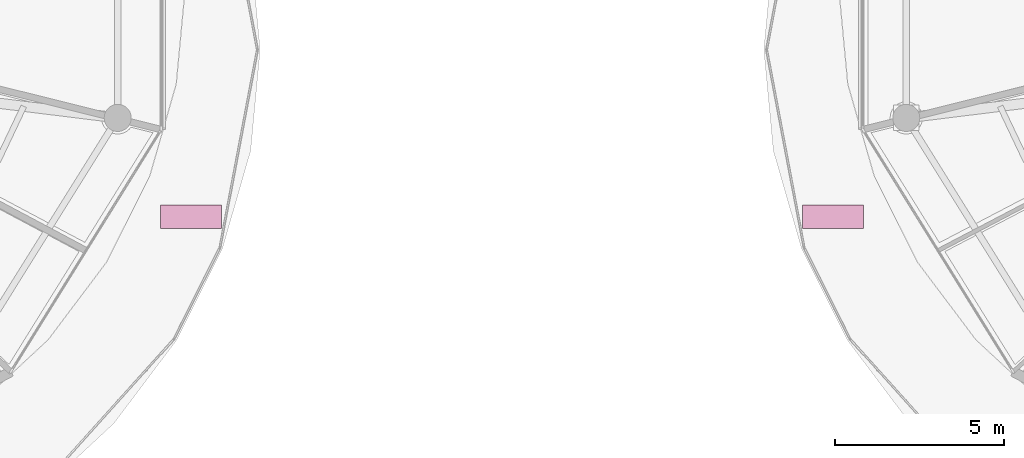
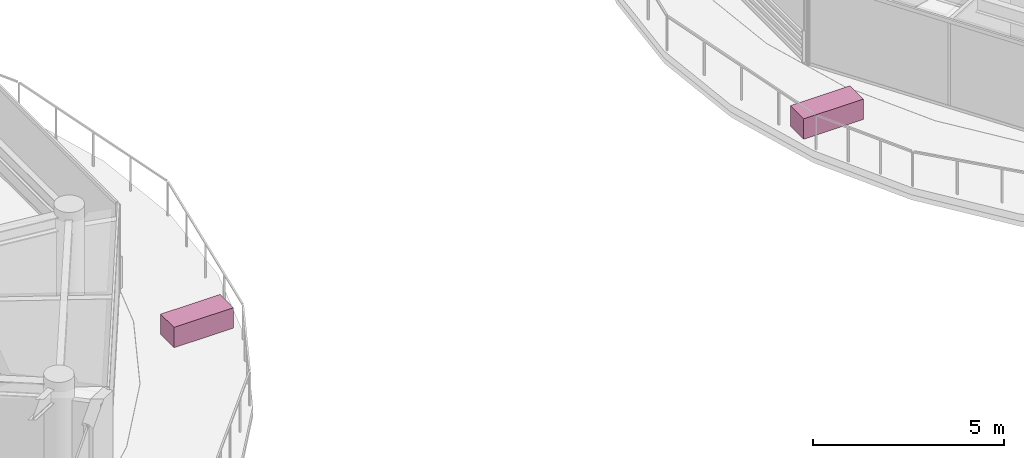
# One storey, part 28 of 28: 2 furnishings.
"""IFC4 building model written with IfcOpenShell, lengths in metres."""

from ifc_helpers import new_model, si_unit, direction, frame, origin, origin_2d, place, context, subcontext, project, spatial, rectangle, extrude, source, transform, mapped, material, type_object, type_shapes, element, save


model = new_model("IFC4")

# Units and contexts
model_context = context("Model", 3, precision=1e-05, world=origin(), true_north=direction((0.0, 1.0)))
body_context = subcontext(model_context, "Body", "Model", "MODEL_VIEW")
ifc_project = project(units=[si_unit("LENGTHUNIT", "METRE"), si_unit("AREAUNIT", "SQUARE_METRE"), si_unit("VOLUMEUNIT", "CUBIC_METRE"), si_unit("PLANEANGLEUNIT", "RADIAN"), si_unit("MASSUNIT", "GRAM", prefix="KILO")], contexts=[model_context])

# Site, building, storey
site_placement = place(None, origin())
site = spatial("IfcSite", under=ifc_project, at=site_placement, CompositionType="ELEMENT")
building_placement = place(site_placement, origin())
building = spatial("IfcBuilding", under=site, at=building_placement, Name="Norrkilde Senior Care Towers", CompositionType="ELEMENT")
storey_placement = place(building_placement, frame((0.0, 0.0, 134.300048828125)))
storey = spatial("IfcBuildingStorey", under=building, at=storey_placement, Name="L41", CompositionType="ELEMENT", Elevation=134.300048828125)

# Furnishings
ifc_material = material(Name="Architectural Terracotta", Category="masonry")
furnishing_element_type = type_object("IfcFurnishingElementType", Name="Nordic Terrace Planter Bed PLANTER", material=ifc_material)
shared_shape = source(origin(), body_context, "Body", "SweptSolid", [
    extrude(rectangle(XDim=1.800048828125, YDim=0.699951171875, at=origin_2d()), origin(), (0.0, 0.0, 1.0), 0.64990234375),
])
type_shapes(furnishing_element_type, [shared_shape])
for number, where, z_axis, x_axis, name in (
    (1, (-9.497802734375, -4.942138671875, 0.0), (0.0, 0.0, 1.0), (1.0, 0.0, 0.0), "L41 Nordic Planted Terrace Bed 19"),
    (2, (9.497802734375, -4.942138671875, 0.0), (0.0, 0.0, 1.0), (1.0, 0.0, 0.0), "L41 Nordic Planted Terrace Bed 20"),
):
    element("IfcFurnishingElement", number, at=place(storey_placement, frame(where, z_axis=z_axis, x_axis=x_axis)), inside=storey, type_object=furnishing_element_type, Name=name, context=body_context, shape_type="MappedRepresentation", body=[
        mapped(shared_shape, transform((0.0, 0.0, 0.0), x_axis=(1.0, 0.0, 0.0), y_axis=(0.0, 1.0, 0.0), z_axis=(0.0, 0.0, 1.0), scale=1.0)),
    ])

save(model, "model.ifc")
